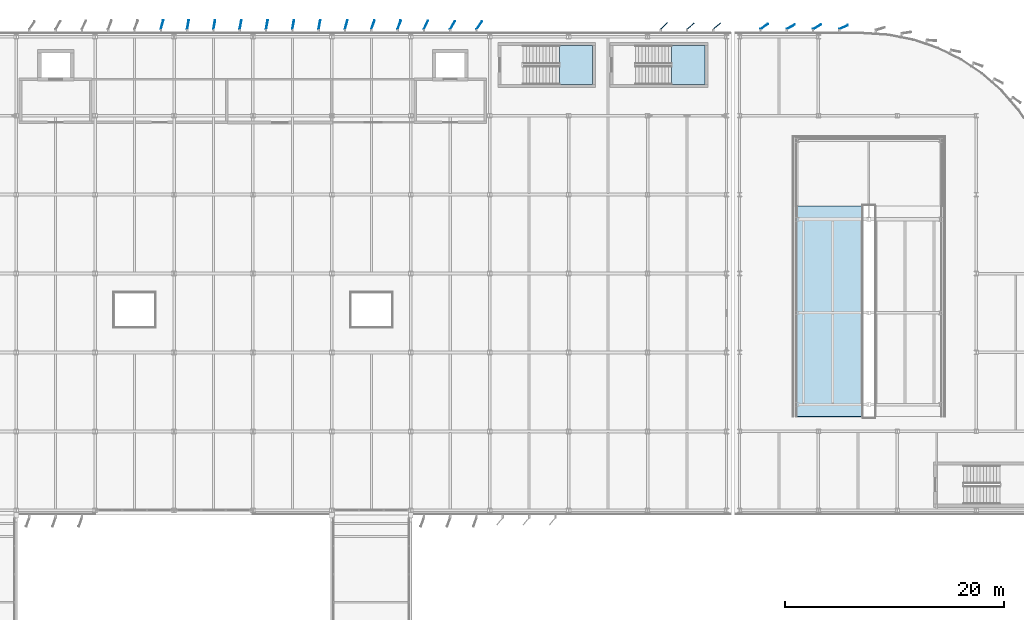
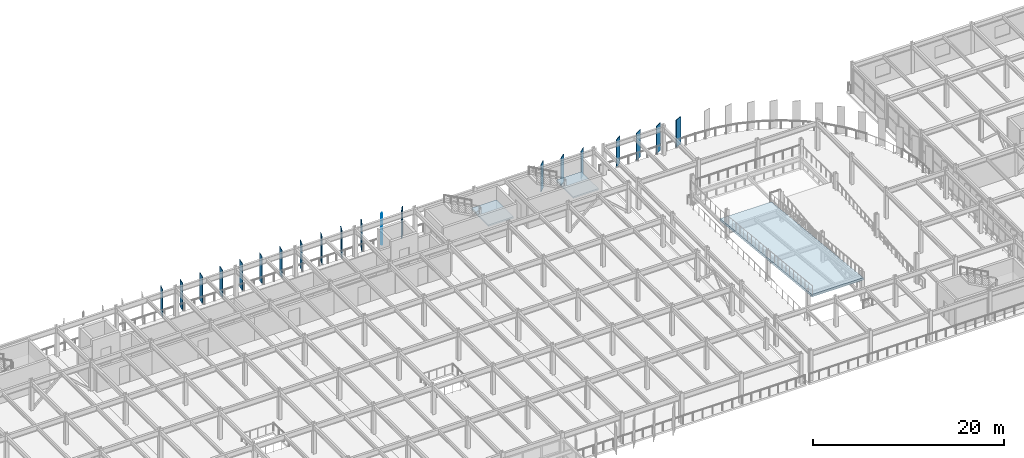
# One storey, part 55 of 93: 20 plates, 3 slabs, 2 elements without a shape of their own.
"""IFC4 building model written with IfcOpenShell, lengths in metres."""

from ifc_helpers import new_model, si_unit, direction, frame, origin, origin_2d, place, context, subcontext, project, spatial, polyline, rectangle, outline, extrude, material, layer, layer_set, type_object, element, aggregate, save


model = new_model("IFC4")

# Units and contexts
model_context = context("Model", 3, precision=1e-05, world=origin(), true_north=direction((0.0, 1.0)))
body_context = subcontext(model_context, "Body", "Model", "MODEL_VIEW")
ifc_project = project(units=[si_unit("LENGTHUNIT", "METRE"), si_unit("AREAUNIT", "SQUARE_METRE"), si_unit("VOLUMEUNIT", "CUBIC_METRE"), si_unit("PLANEANGLEUNIT", "RADIAN"), si_unit("MASSUNIT", "GRAM", prefix="KILO")], contexts=[model_context])

# Site, building, storey
site_placement = place(None, origin())
site = spatial("IfcSite", under=ifc_project, at=site_placement, CompositionType="ELEMENT")
building_placement = place(site_placement, origin())
building = spatial("IfcBuilding", under=site, at=building_placement, Name="Vaelcorin Mobility Hub", CompositionType="ELEMENT")
storey_placement = place(building_placement, frame((0.0, 0.0, 5.39990234375)))
storey = spatial("IfcBuildingStorey", under=building, at=storey_placement, Name="L01", CompositionType="ELEMENT", Elevation=5.39990234375)

# Plates
ifc_material_1 = material(Name="Perforated terracotta-bronze aluminium aerofoil", Category="masonry")
ifc_layer_1 = layer(ifc_material_1, 0.06005859375)
ifc_layer_set_1 = layer_set([ifc_layer_1], Name="Perforated terracotta-bronze aluminium aerofoil")
plate_type_1 = type_object("IfcPlateType", Name="PL-FIN-AF1", PredefinedType="SHEET", material=ifc_layer_set_1)
for number, where, z_axis, x_axis, name in (
    (1, (70.909912109375, 121.10107421875, -0.159912109375), (0.0, 0.0, 1.0), (0.258819045103, 0.965925826289, 0.0), "Rotating Terracotta-Bronze Aerofoil Fin FIN-V4-L01-N-05-AF-03"),
    (2, (73.27392578125, 121.10888671875, -0.159912109375), (0.0, 0.0, 1.0), (0.173648177667, 0.984807753012, 0.0), "Rotating Terracotta-Bronze Aerofoil Fin FIN-V4-L01-N-06-AF-01"),
    (3, (75.674072265625, 121.10888671875, -0.159912109375), (0.0, 0.0, 1.0), (0.173648177667, 0.984807753012, 0.0), "Rotating Terracotta-Bronze Aerofoil Fin FIN-V4-L01-N-06-AF-02"),
    (4, (78.073974609375, 121.10888671875, -0.159912109375), (0.0, 0.0, 1.0), (0.173648177667, 0.984807753012, 0.0), "Rotating Terracotta-Bronze Aerofoil Fin FIN-V4-L01-N-06-AF-03"),
    (5, (80.47412109375, 121.10888671875, -0.159912109375), (0.0, 0.0, 1.0), (0.173648177667, 0.984807753012, 0.0), "Rotating Terracotta-Bronze Aerofoil Fin FIN-V4-L01-N-07-AF-01"),
    (6, (82.8740234375, 121.10888671875, -0.159912109375), (0.0, 0.0, 1.0), (0.173648177667, 0.984807753012, 0.0), "Rotating Terracotta-Bronze Aerofoil Fin FIN-V4-L01-N-07-AF-02"),
    (7, (85.27392578125, 121.10888671875, -0.159912109375), (0.0, 0.0, 1.0), (0.173648177667, 0.984807753012, 0.0), "Rotating Terracotta-Bronze Aerofoil Fin FIN-V4-L01-N-07-AF-03"),
    (8, (87.7099609375, 121.10107421875, -0.159912109375), (0.0, 0.0, 1.0), (0.258819045103, 0.965925826289, 0.0), "Rotating Terracotta-Bronze Aerofoil Fin FIN-V4-L01-N-08-AF-01"),
    (9, (90.14501953125, 121.089111328125, -0.159912109375), (0.0, 0.0, 1.0), (0.342020143326, 0.939692620786, 0.0), "Rotating Terracotta-Bronze Aerofoil Fin FIN-V4-L01-N-08-AF-02"),
    (10, (92.544921875, 121.089111328125, -0.159912109375), (0.0, 0.0, 1.0), (0.342020143326, 0.939692620786, 0.0), "Rotating Terracotta-Bronze Aerofoil Fin FIN-V4-L01-N-08-AF-03"),
    (11, (94.97998046875, 121.074951171875, -0.159912109375), (0.0, 0.0, 1.0), (0.422618261741, 0.906307787037, 0.0), "Rotating Terracotta-Bronze Aerofoil Fin FIN-V4-L01-N-09-AF-01"),
    (12, (97.412109375, 121.05810546875, -0.159912109375), (0.0, 0.0, 1.0), (0.5, 0.866025403784, 0.0), "Rotating Terracotta-Bronze Aerofoil Fin FIN-V4-L01-N-09-AF-02"),
    (13, (99.843994140625, 121.0380859375, -0.159912109375), (0.0, 0.0, 1.0), (0.573576436351, 0.819152044289, 0.0), "Rotating Terracotta-Bronze Aerofoil Fin FIN-V4-L01-N-09-AF-03"),
    (14, (116.700927734375, 120.990966796875, -0.159912109375), (0.0, 0.0, 1.0), (0.707106781187, 0.707106781187, 0.0), "Rotating Terracotta-Bronze Aerofoil Fin FIN-V4-L01-N-12-AF-01"),
    (15, (119.1259765625, 120.962890625, -0.159912109375), (0.0, 0.0, 1.0), (0.766044443119, 0.642787609687, 0.0), "Rotating Terracotta-Bronze Aerofoil Fin FIN-V4-L01-N-12-AF-02"),
    (16, (121.52587890625, 120.962890625, -0.159912109375), (0.0, 0.0, 1.0), (0.766044443119, 0.642787609687, 0.0), "Rotating Terracotta-Bronze Aerofoil Fin FIN-V4-L01-N-12-AF-03"),
):
    element("IfcPlate", number, at=place(storey_placement, frame(where, z_axis=z_axis, x_axis=x_axis)), inside=storey, type_object=plate_type_1, Name=name, PredefinedType="SHEET", context=body_context, shape_type="SweptSolid", body=[
        extrude(rectangle(XDim=0.85009765625, YDim=0.06005859375, at=origin_2d()), origin(), (0.0, 0.0, 1.0), 3.5),
    ])
ifc_layer_2 = layer(ifc_material_1, 0.070068359375)
ifc_layer_set_2 = layer_set([ifc_layer_2], Name="Perforated terracotta-bronze aluminium aerofoil")
plate_type_2 = type_object("IfcPlateType", Name="PL-FIN-AF3", PredefinedType="SHEET", material=ifc_layer_set_2)
for number, where, z_axis, x_axis, name in (
    (17, (125.847900390625, 120.93408203125, -0.159912109375), (0.0, 0.0, 1.0), (0.819152044289, 0.573576436351, 0.0), "Rotating Terracotta-Bronze Aerofoil Fin FIN-V2E-L01-N-AF-01"),
    (18, (128.26806640625, 120.902099609375, -0.159912109375), (0.0, 0.0, 1.0), (0.866025403784, 0.5, 0.0), "Rotating Terracotta-Bronze Aerofoil Fin FIN-V2E-L01-N-AF-02"),
    (19, (130.66796875, 120.902099609375, -0.159912109375), (0.0, 0.0, 1.0), (0.866025403784, 0.5, 0.0), "Rotating Terracotta-Bronze Aerofoil Fin FIN-V2E-L01-N-AF-03"),
    (20, (133.0849609375, 120.8701171875, -0.159912109375), (0.0, 0.0, 1.0), (0.906307787037, 0.422618261741, 0.0), "Rotating Terracotta-Bronze Aerofoil Fin FIN-V2E-L01-N-AF-04"),
):
    element("IfcPlate", number, at=place(storey_placement, frame(where, z_axis=z_axis, x_axis=x_axis)), inside=storey, type_object=plate_type_2, Name=name, PredefinedType="SHEET", context=body_context, shape_type="SweptSolid", body=[
        extrude(rectangle(XDim=0.85009765625, YDim=0.070068359375, at=origin_2d()), origin(), (0.0, 0.0, 1.0), 3.5),
    ])

# Stair, slab
ifc_material_2 = material(Name="Reinforced concrete f'c 45 MPa", Category="concrete")
stair_type_1 = type_object("IfcStairType", Name="STAIR-ST4", PredefinedType="HALF_TURN_STAIR", material=ifc_material_2)
stair_1_placement = place(storey_placement, origin())
stair_1 = element("IfcStair", 21, at=stair_1_placement, inside=storey, type_object=stair_type_1, Name="L01 Protected Exit Stair ST4", PredefinedType="HALF_TURN_STAIR")
ifc_layer_3 = layer(ifc_material_2, 0.199951171875)
ifc_layer_set_3 = layer_set([ifc_layer_3], Name="Reinforced concrete f'c 45 MPa")
slab_type_1 = type_object("IfcSlabType", Name="SLAB-LND-200", PredefinedType="LANDING", material=ifc_layer_set_3)
slab_1_placement = place(storey_placement, frame((0.0, 0.0, 1.75)))
slab_1 = element("IfcSlab", 22, at=slab_1_placement, type_object=slab_type_1, Name="ST4 landing 1", PredefinedType="LANDING", context=body_context, shape_type="SweptSolid", body=[
    extrude(outline(polyline([(107.14990234375, 115.64990234375), (110.199951171875, 115.64990234375), (110.199951171875, 119.2099609375), (107.14990234375, 119.2099609375), (107.14990234375, 115.64990234375)])), origin(), (0.0, 0.0, 1.0), 0.2001953125),
])
aggregate(stair_1, [slab_1])

stair_type_2 = type_object("IfcStairType", Name="STAIR-ST9", PredefinedType="HALF_TURN_STAIR", material=ifc_material_2)
stair_2_placement = place(storey_placement, origin())
stair_2 = element("IfcStair", 23, at=stair_2_placement, inside=storey, type_object=stair_type_2, Name="L01 Protected Exit Stair ST9", PredefinedType="HALF_TURN_STAIR")
slab_2_placement = place(storey_placement, frame((0.0, 0.0, 1.75)))
slab_2 = element("IfcSlab", 24, at=slab_2_placement, type_object=slab_type_1, Name="ST9 landing 1", PredefinedType="LANDING", context=body_context, shape_type="SweptSolid", body=[
    extrude(outline(polyline([(117.39990234375, 115.64990234375), (120.449951171875, 115.64990234375), (120.449951171875, 119.2099609375), (117.39990234375, 119.2099609375), (117.39990234375, 115.64990234375)])), origin(), (0.0, 0.0, 1.0), 0.2001953125),
])
aggregate(stair_2, [slab_2])

# Slab
ifc_material_3 = material(Name="Concrete f'c 35 MPa", Category="concrete")
ifc_layer_4 = layer(ifc_material_3, 0.280029296875)
ifc_layer_set_4 = layer_set([ifc_layer_4], Name="Concrete f'c 35 MPa")
slab_type_2 = type_object("IfcSlabType", Name="SLAB-RMP-VR2", PredefinedType="FLOOR", material=ifc_layer_set_4)
slab_3_placement = place(storey_placement, frame((128.699951171875, 85.360107421875, 3.900146484375), z_axis=(0.0, 0.101144847313, 0.994871710253), x_axis=(1.0, 0.0, 0.0)))
element("IfcSlab", 25, at=slab_3_placement, inside=storey, type_object=slab_type_2, Name="Vehicle Ramp VR-2 Slab L01 Flight 2", PredefinedType="FLOOR", context=body_context, shape_type="SweptSolid", body=[
    extrude(outline(polyline([(0.0, 0.0), (6.199951171875, 0.0), (6.199951171875, 19.27879890739422), (0.0, 19.27879890739422), (0.0, 0.0)])), origin(), (0.0, 0.0, -1.0), 0.280029296875),
])

save(model, "model.ifc")
